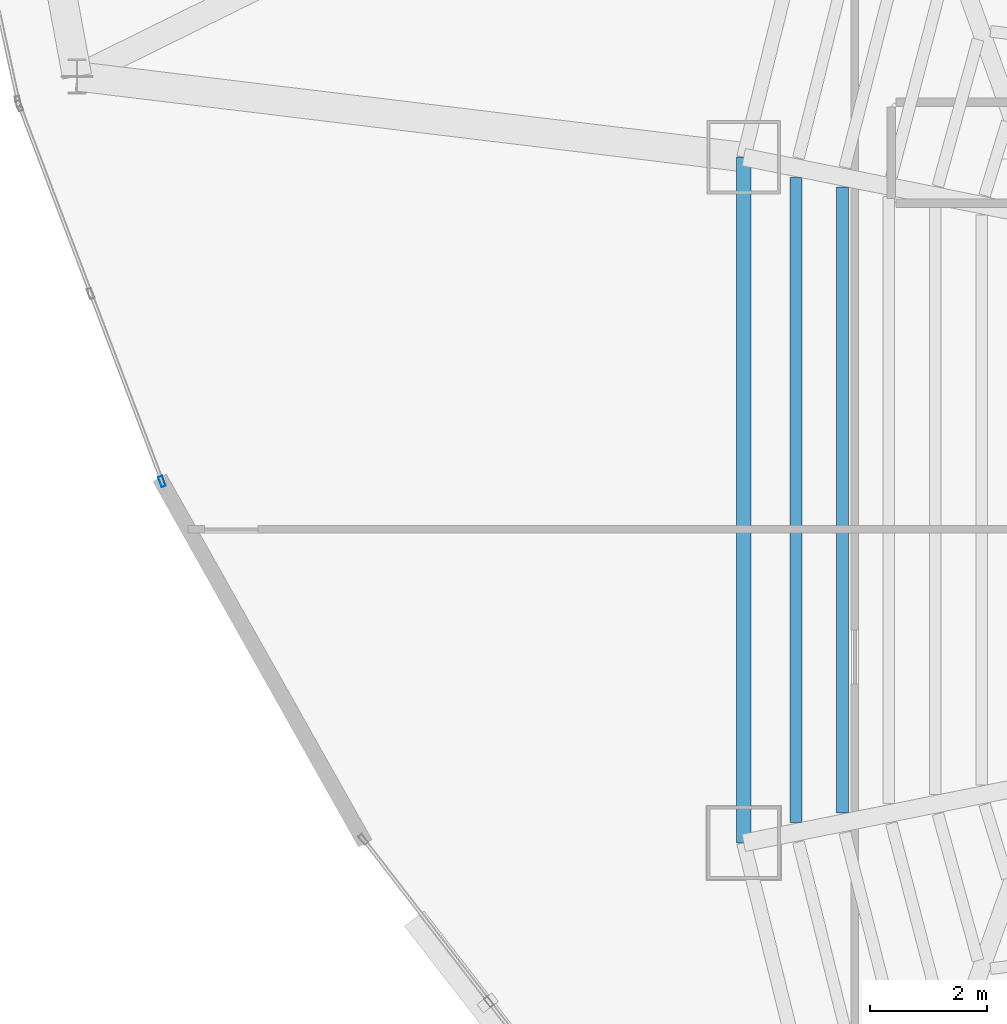
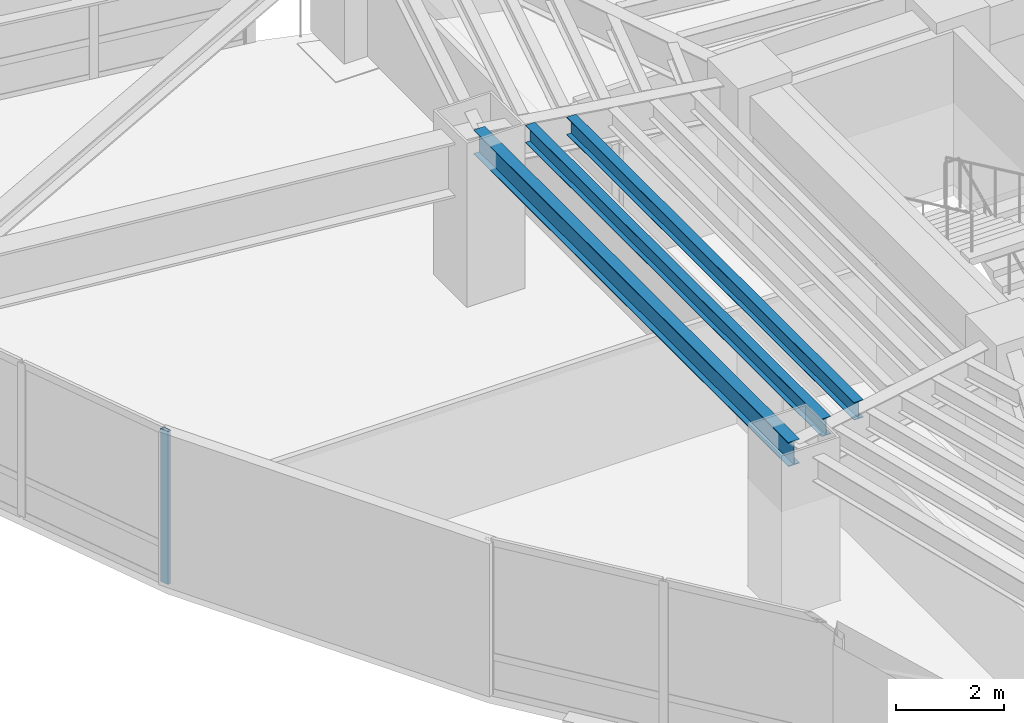
# One storey, part 4 of 23: 3 beams, 1 member, 1 element without a shape of its own.
"""IFC4 building model written with IfcOpenShell, lengths in metres."""

from ifc_helpers import new_model, si_unit, direction, frame, origin, origin_2d, place, context, subcontext, project, spatial, hollow_rectangle, i_section, extrude, material, layer, layer_set, material_profile, profile_set, type_object, element, aggregate, save


model = new_model("IFC4")

# Units and contexts
model_context = context("Model", 3, precision=1e-05, world=origin(), true_north=direction((0.0, 1.0)))
body_context = subcontext(model_context, "Body", "Model", "MODEL_VIEW")
ifc_project = project(units=[si_unit("LENGTHUNIT", "METRE"), si_unit("AREAUNIT", "SQUARE_METRE"), si_unit("VOLUMEUNIT", "CUBIC_METRE"), si_unit("PLANEANGLEUNIT", "RADIAN"), si_unit("MASSUNIT", "GRAM", prefix="KILO")], contexts=[model_context])

# Site, building, storey
site_placement = place(None, origin())
site = spatial("IfcSite", under=ifc_project, at=site_placement, CompositionType="ELEMENT")
building_placement = place(site_placement, origin())
building = spatial("IfcBuilding", under=site, at=building_placement, Name="Menara Vayukalpa", CompositionType="ELEMENT")
storey_placement = place(building_placement, frame((0.0, 0.0, 111.419921875)))
storey = spatial("IfcBuildingStorey", under=building, at=storey_placement, Name="L27", CompositionType="ELEMENT", Elevation=111.419921875)

# Beams
ifc_material_1 = material(Name="Steel S355", Category="steel")
ifc_material_profile_1 = material_profile(ifc_material_1, i_section(OverallWidth=0.199951171875, OverallDepth=0.39990234375, WebThickness=0.008056640625, FlangeThickness=0.012939453125, at=origin_2d()), Name="WF 400x200x8x13")
ifc_profile_set_1 = profile_set([ifc_material_profile_1], Name="Steel S355")
beam_type_1 = type_object("IfcBeamType", Name="BM-SJ2", PredefinedType="JOIST", material=ifc_profile_set_1)
beam_1_placement = place(storey_placement, frame((14.2890625, 27.3369140625, 3.27001953125), z_axis=(0.0, -1.0, 0.0), x_axis=(1.0, 0.0, 0.0)))
element("IfcBeam", 1, at=beam_1_placement, inside=storey, type_object=beam_type_1, Name="L27 Secondary Floor Joist SJ05-4", PredefinedType="JOIST", context=body_context, shape_type="SweptSolid", body=[
    extrude(i_section(OverallWidth=0.199951171875, OverallDepth=0.39990234375, WebThickness=0.008056640625, FlangeThickness=0.012939453125, at=origin_2d()), origin(), (0.0, 0.0, 1.0), 10.673828125),
])
beam_2_placement = place(storey_placement, frame((13.497314453125, 27.496337890625, 3.27001953125), z_axis=(0.0, -1.0, 0.0), x_axis=(1.0, 0.0, 0.0)))
element("IfcBeam", 2, at=beam_2_placement, inside=storey, type_object=beam_type_1, Name="L27 Secondary Floor Joist SJ05-5", PredefinedType="JOIST", context=body_context, shape_type="SweptSolid", body=[
    extrude(i_section(OverallWidth=0.199951171875, OverallDepth=0.39990234375, WebThickness=0.008056640625, FlangeThickness=0.012939453125, at=origin_2d()), origin(), (0.0, 0.0, 1.0), 10.99267578125),
])
ifc_material_2 = material(Name="Steel S355", Category="steel")
ifc_material_profile_2 = material_profile(ifc_material_2, i_section(OverallWidth=0.239990234375, OverallDepth=0.550048828125, WebThickness=0.010986328125, FlangeThickness=0.01904296875, at=origin_2d()), Name="WF 550x240x11x19")
ifc_profile_set_2 = profile_set([ifc_material_profile_2], Name="Steel S355")
beam_type_2 = type_object("IfcBeamType", Name="BM-SP2", PredefinedType="SPANDREL", material=ifc_profile_set_2)
beam_3_placement = place(storey_placement, frame((12.606689453125, 27.845703125, 3.195068359375), z_axis=(0.0, -1.0, 0.0), x_axis=(1.0, 0.0, 0.0)))
element("IfcBeam", 3, at=beam_3_placement, inside=storey, type_object=beam_type_2, Name="L27 Perimeter Spandrel Beam SP05", PredefinedType="SPANDREL", context=body_context, shape_type="SweptSolid", body=[
    extrude(i_section(OverallWidth=0.239990234375, OverallDepth=0.550048828125, WebThickness=0.010986328125, FlangeThickness=0.01904296875, at=origin_2d()), origin(), (0.0, 0.0, 1.0), 11.69140625),
])

# Curtain wall, member
ifc_material_3 = material(Name="Anodised Terracotta Aluminium Alloy 6063-T6", Category="masonry")
ifc_layer = layer(ifc_material_3, 0.179931640625)
ifc_layer_set = layer_set([ifc_layer], Name="Anodised Terracotta Aluminium Alloy 6063-T6")
curtain_wall_type = type_object("IfcCurtainWallType", Name="CW-CW4", PredefinedType="USERDEFINED", material=ifc_layer_set)
curtain_wall_placement = place(storey_placement, origin())
curtain_wall = element("IfcCurtainWall", 4, at=curtain_wall_placement, inside=storey, type_object=curtain_wall_type, Name="L27 Sky Bar Cantilever Glazed Curtain Wall CW4 11", ObjectType="UNITISED", PredefinedType="USERDEFINED")
ifc_material_4 = material(Name="Anodised Terracotta Aluminium Alloy 6063-T6", Category="masonry")
ifc_material_profile_3 = material_profile(ifc_material_4, hollow_rectangle(XDim=0.074951171875, YDim=0.179931640625, WallThickness=0.00390625, at=origin_2d()), Name="ALU 75x180x4")
ifc_profile_set_3 = profile_set([ifc_material_profile_3], Name="Anodised Terracotta Aluminium Alloy 6063-T6")
member_type = type_object("IfcMemberType", Name="CWM-CW4", PredefinedType="MULLION", material=ifc_profile_set_3)
member_placement = place(storey_placement, frame((2.6875, 22.315673828125, 0.0), z_axis=(0.0, 0.0, 1.0), x_axis=(0.934964177732, 0.354742140657, 0.0)))
member = element("IfcMember", 5, at=member_placement, type_object=member_type, Name="CW4 mullion 3", PredefinedType="MULLION", context=body_context, shape_type="SweptSolid", body=[
    extrude(hollow_rectangle(XDim=0.074951171875, YDim=0.179931640625, WallThickness=0.00390625, at=origin_2d()), origin(), (0.0, 0.0, 1.0), 3.469970703125),
])
aggregate(curtain_wall, [member])

save(model, "model.ifc")
